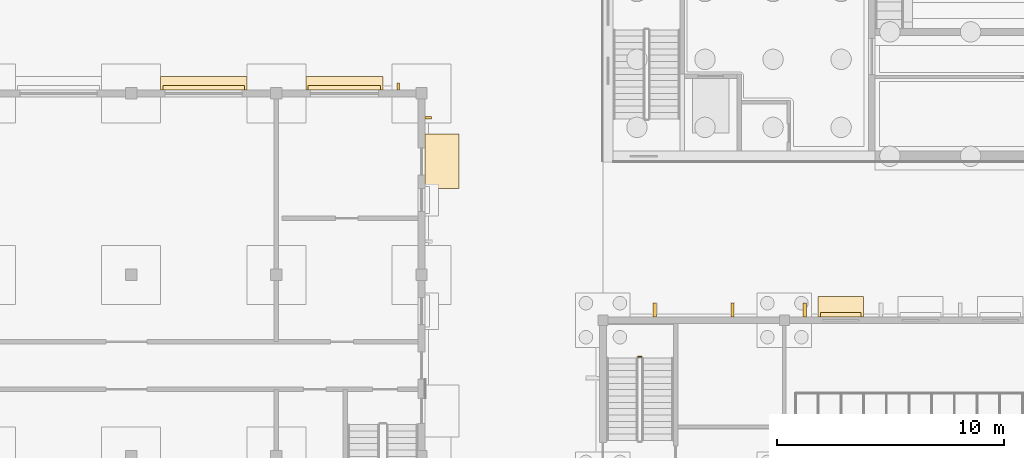
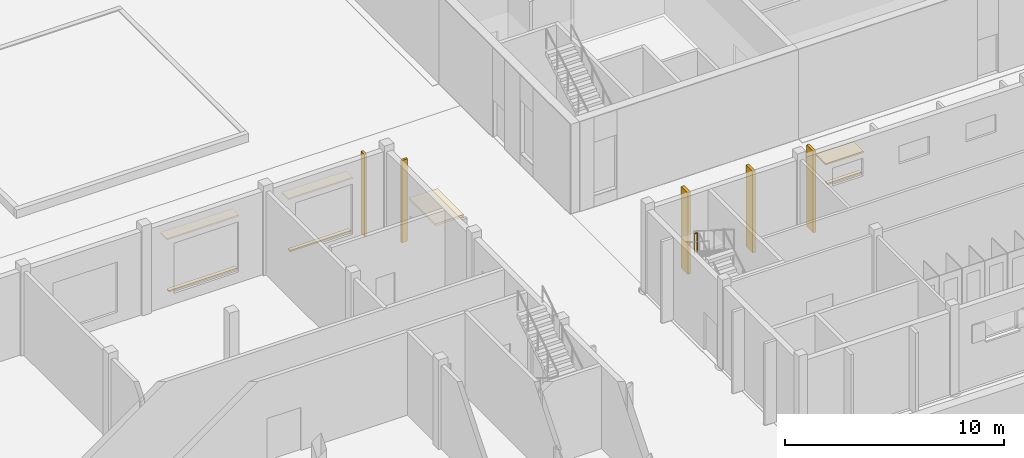
# One storey, part 124 of 157: 7 coverings, 5 shading devices, 1 railing.
"""IFC4 building model written with IfcOpenShell, lengths in metres."""

from ifc_helpers import new_model, si_unit, direction, frame, origin, origin_2d, place, context, subcontext, project, spatial, polyline, circle, outline, extrude, material, layer, layer_set, type_object, element, save


model = new_model("IFC4")

# Units and contexts
model_context = context("Model", 3, precision=1e-05, world=origin(), true_north=direction((0.0, 1.0)))
body_context = subcontext(model_context, "Body", "Model", "MODEL_VIEW")
ifc_project = project(units=[si_unit("LENGTHUNIT", "METRE"), si_unit("AREAUNIT", "SQUARE_METRE"), si_unit("VOLUMEUNIT", "CUBIC_METRE"), si_unit("PLANEANGLEUNIT", "RADIAN"), si_unit("MASSUNIT", "GRAM", prefix="KILO")], contexts=[model_context])

# Site, building, storey
site_placement = place(None, origin())
site = spatial("IfcSite", under=ifc_project, at=site_placement, CompositionType="ELEMENT")
building_placement = place(site_placement, origin())
building = spatial("IfcBuilding", under=site, at=building_placement, Name="Windward Yard Aquatics Centre", CompositionType="ELEMENT")
storey_placement = place(building_placement, origin())
storey = spatial("IfcBuildingStorey", under=building, at=storey_placement, Name="L00", CompositionType="ELEMENT", Elevation=0.0)

# Railing
ifc_material_1 = material(Name="Stainless steel 1.4401", Category="steel")
railing_type = type_object("IfcRailingType", Name="C Village stair 1 stair guard", PredefinedType="GUARDRAIL", material=ifc_material_1)
railing_placement = place(storey_placement, frame((53.699951171875, 17.389892578125, 2.5)))
element("IfcRailing", 1, at=railing_placement, inside=storey, type_object=railing_type, Name="L00 C-ST1 stair guard 2", PredefinedType="GUARDRAIL", context=body_context, shape_type="SweptSolid", body=[
    extrude(circle(Radius=0.02392578125, at=origin_2d()), frame((0.0, 0.0, 1.076171875), z_axis=(-1.0, 0.0, 0.0), x_axis=(0.0, -1.0, 0.0)), (0.0, 0.0, 1.0), 0.14990234375),
    extrude(circle(Radius=0.02099609375, at=origin_2d()), origin(), (0.0, 0.0, 1.0), 1.052001953125),
    extrude(circle(Radius=0.02099609375, at=origin_2d()), frame((-0.14990234375, 0.0, 0.0)), (0.0, 0.0, 1.0), 1.052001953125),
])

# Shading devices
ifc_material_2 = material(Name="Aluminium fin, powder coated", Category="aluminium")
shading_device_type_1 = type_object("IfcShadingDeviceType", Name="C vertical fin 150x600", PredefinedType="USERDEFINED", material=ifc_material_2)
shading_device_1_placement = place(storey_placement, origin())
element("IfcShadingDevice", 2, at=shading_device_1_placement, inside=storey, type_object=shading_device_type_1, Name="Vertical fin C.W.L00.N1.1.1", ObjectType="FIN", PredefinedType="USERDEFINED", context=body_context, shape_type="SweptSolid", body=[
    extrude(outline(polyline([(54.21240234375, 19.14990234375), (54.362548828125, 19.14990234375), (54.362548828125, 19.75), (54.21240234375, 19.75), (54.21240234375, 19.14990234375)])), origin(), (0.0, 0.0, 1.0), 4.550048828125),
])
shading_device_2_placement = place(storey_placement, origin())
element("IfcShadingDevice", 3, at=shading_device_2_placement, inside=storey, type_object=shading_device_type_1, Name="Vertical fin C.W.L00.N1.1.2", ObjectType="FIN", PredefinedType="USERDEFINED", context=body_context, shape_type="SweptSolid", body=[
    extrude(outline(polyline([(57.637451171875, 19.14990234375), (57.78759765625, 19.14990234375), (57.78759765625, 19.75), (57.637451171875, 19.75), (57.637451171875, 19.14990234375)])), origin(), (0.0, 0.0, 1.0), 4.550048828125),
])
shading_device_3_placement = place(storey_placement, origin())
element("IfcShadingDevice", 4, at=shading_device_3_placement, inside=storey, type_object=shading_device_type_1, Name="Vertical fin C.W.L00.N2.1.1", ObjectType="FIN", PredefinedType="USERDEFINED", context=body_context, shape_type="SweptSolid", body=[
    extrude(outline(polyline([(60.8291015625, 19.14990234375), (60.979248046875, 19.14990234375), (60.979248046875, 19.75), (60.8291015625, 19.75), (60.8291015625, 19.14990234375)])), origin(), (0.0, 0.0, 1.0), 4.550048828125),
])

# Coverings
ifc_material_3 = material(Name="Aluminium composite hood, powder coated", Category="aluminium")
ifc_layer_1 = layer(ifc_material_3, 0.080078125)
ifc_layer_set_1 = layer_set([ifc_layer_1], Name="C window hood aluminium 2000x900")
covering_type_1 = type_object("IfcCoveringType", Name="C window hood aluminium 2000x900", PredefinedType="CLADDING", material=ifc_layer_set_1)
covering_1_placement = place(storey_placement, frame((0.0, 0.0, 3.550048828125)))
element("IfcCovering", 5, at=covering_1_placement, inside=storey, type_object=covering_type_1, Name="Window hood CW0021", PredefinedType="CLADDING", context=body_context, shape_type="SweptSolid", body=[
    extrude(outline(polyline([(61.4833984375, 19.14990234375), (63.4833984375, 19.14990234375), (63.4833984375, 20.050048828125), (61.4833984375, 20.050048828125), (61.4833984375, 19.14990234375)])), origin(), (0.0, 0.0, 1.0), 0.079833984375),
])
ifc_material_4 = material(Name="Limestone sill", Category="masonry")
ifc_layer_2 = layer(ifc_material_4, 0.080078125)
ifc_layer_set_2 = layer_set([ifc_layer_2], Name="C window sill stone 1800x200")
covering_type_2 = type_object("IfcCoveringType", Name="C window sill stone 1800x200", PredefinedType="CLADDING", material=ifc_layer_set_2)
covering_2_placement = place(storey_placement, frame((0.0, 0.0, 2.419921875)))
element("IfcCovering", 6, at=covering_2_placement, inside=storey, type_object=covering_type_2, Name="Window sill CW0021", PredefinedType="CLADDING", context=body_context, shape_type="SweptSolid", body=[
    extrude(outline(polyline([(61.583251953125, 19.14990234375), (63.38330078125, 19.14990234375), (63.38330078125, 19.35009765625), (61.583251953125, 19.35009765625), (61.583251953125, 19.14990234375)])), origin(), (0.0, 0.0, 1.0), 0.080078125),
])
ifc_material_5 = material(Name="Aluminium standing seam canopy on steel brackets", Category="steel")
ifc_layer_3 = layer(ifc_material_5, 0.1201171875)
ifc_layer_set_3 = layer_set([ifc_layer_3], Name="P entrance canopy aluminium 2400x1500")
covering_type_3 = type_object("IfcCoveringType", Name="P entrance canopy aluminium 2400x1500", PredefinedType="CLADDING", material=ifc_layer_set_3)
covering_3_placement = place(storey_placement, frame((0.0, 0.0, 2.800048828125)))
element("IfcCovering", 7, at=covering_3_placement, inside=storey, type_object=covering_type_3, Name="Entrance canopy P0005", PredefinedType="CLADDING", context=body_context, shape_type="SweptSolid", body=[
    extrude(outline(polyline([(44.14990234375, 24.800048828125), (44.14990234375, 27.199951171875), (45.64990234375, 27.199951171875), (45.64990234375, 24.800048828125), (44.14990234375, 24.800048828125)])), origin(), (0.0, 0.0, 1.0), 0.119873046875),
])

# Shading devices
shading_device_type_2 = type_object("IfcShadingDeviceType", Name="P vertical fin 120x300", PredefinedType="USERDEFINED", material=ifc_material_2)
shading_device_4_placement = place(storey_placement, origin())
element("IfcShadingDevice", 8, at=shading_device_4_placement, inside=storey, type_object=shading_device_type_2, Name="Vertical fin P.W.L00.E3.2.1", ObjectType="FIN", PredefinedType="USERDEFINED", context=body_context, shape_type="SweptSolid", body=[
    extrude(outline(polyline([(44.14990234375, 27.864990234375), (44.14990234375, 27.985107421875), (44.449951171875, 27.985107421875), (44.449951171875, 27.864990234375), (44.14990234375, 27.864990234375)])), origin(), (0.0, 0.0, 1.0), 4.590087890625),
])
shading_device_5_placement = place(storey_placement, origin())
element("IfcShadingDevice", 9, at=shading_device_5_placement, inside=storey, type_object=shading_device_type_2, Name="Vertical fin P.W.L00.N5.1.1", ObjectType="FIN", PredefinedType="USERDEFINED", context=body_context, shape_type="SweptSolid", body=[
    extrude(outline(polyline([(42.9150390625, 29.14990234375), (43.034912109375, 29.14990234375), (43.034912109375, 29.449951171875), (42.9150390625, 29.449951171875), (42.9150390625, 29.14990234375)])), origin(), (0.0, 0.0, 1.0), 4.590087890625),
])

# Coverings
ifc_layer_4 = layer(ifc_material_3, 0.080078125)
ifc_layer_set_4 = layer_set([ifc_layer_4], Name="P window hood aluminium 3400x600")
covering_type_4 = type_object("IfcCoveringType", Name="P window hood aluminium 3400x600", PredefinedType="CLADDING", material=ifc_layer_set_4)
covering_4_placement = place(storey_placement, frame((0.0, 0.0, 3.449951171875)))
element("IfcCovering", 10, at=covering_4_placement, inside=storey, type_object=covering_type_4, Name="Window hood PW0008", PredefinedType="CLADDING", context=body_context, shape_type="SweptSolid", body=[
    extrude(outline(polyline([(38.89990234375, 29.14990234375), (42.300048828125, 29.14990234375), (42.300048828125, 29.75), (38.89990234375, 29.75), (38.89990234375, 29.14990234375)])), origin(), (0.0, 0.0, 1.0), 0.080078125),
])
ifc_layer_5 = layer(ifc_material_3, 0.080078125)
ifc_layer_set_5 = layer_set([ifc_layer_5], Name="P window hood aluminium 3800x600")
covering_type_5 = type_object("IfcCoveringType", Name="P window hood aluminium 3800x600", PredefinedType="CLADDING", material=ifc_layer_set_5)
covering_5_placement = place(storey_placement, frame((0.0, 0.0, 3.449951171875)))
element("IfcCovering", 11, at=covering_5_placement, inside=storey, type_object=covering_type_5, Name="Window hood PW0007", PredefinedType="CLADDING", context=body_context, shape_type="SweptSolid", body=[
    extrude(outline(polyline([(32.5, 29.14990234375), (36.300048828125, 29.14990234375), (36.300048828125, 29.75), (32.5, 29.75), (32.5, 29.14990234375)])), origin(), (0.0, 0.0, 1.0), 0.080078125),
])
ifc_layer_6 = layer(ifc_material_4, 0.080078125)
ifc_layer_set_6 = layer_set([ifc_layer_6], Name="P window sill stone 3200x200")
covering_type_6 = type_object("IfcCoveringType", Name="P window sill stone 3200x200", PredefinedType="CLADDING", material=ifc_layer_set_6)
covering_6_placement = place(storey_placement, frame((0.0, 0.0, 0.52001953125)))
element("IfcCovering", 12, at=covering_6_placement, inside=storey, type_object=covering_type_6, Name="Window sill PW0008", PredefinedType="CLADDING", context=body_context, shape_type="SweptSolid", body=[
    extrude(outline(polyline([(39.0, 29.14990234375), (42.199951171875, 29.14990234375), (42.199951171875, 29.35009765625), (39.0, 29.35009765625), (39.0, 29.14990234375)])), origin(), (0.0, 0.0, 1.0), 0.080078125),
])
ifc_layer_7 = layer(ifc_material_4, 0.080078125)
ifc_layer_set_7 = layer_set([ifc_layer_7], Name="P window sill stone 3600x200")
covering_type_7 = type_object("IfcCoveringType", Name="P window sill stone 3600x200", PredefinedType="CLADDING", material=ifc_layer_set_7)
covering_7_placement = place(storey_placement, frame((0.0, 0.0, 0.52001953125)))
element("IfcCovering", 13, at=covering_7_placement, inside=storey, type_object=covering_type_7, Name="Window sill PW0007", PredefinedType="CLADDING", context=body_context, shape_type="SweptSolid", body=[
    extrude(outline(polyline([(32.60009765625, 29.14990234375), (36.199951171875, 29.14990234375), (36.199951171875, 29.35009765625), (32.60009765625, 29.35009765625), (32.60009765625, 29.14990234375)])), origin(), (0.0, 0.0, 1.0), 0.080078125),
])

save(model, "model.ifc")
